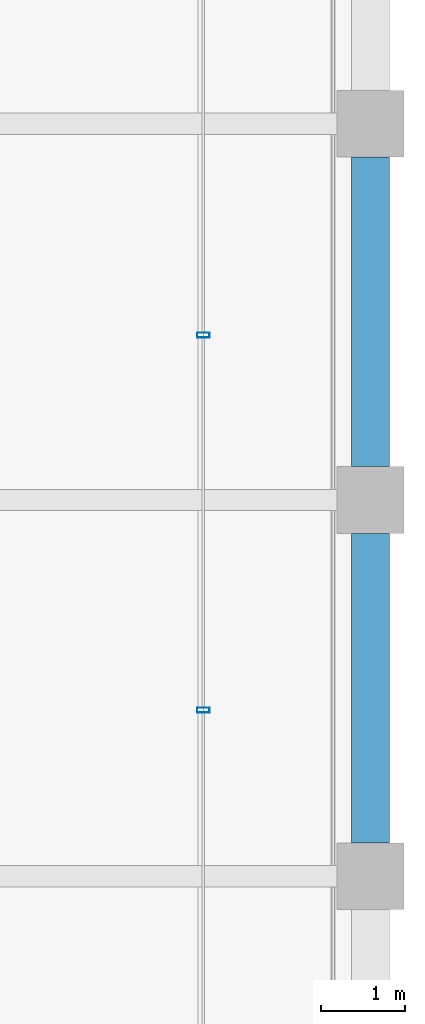
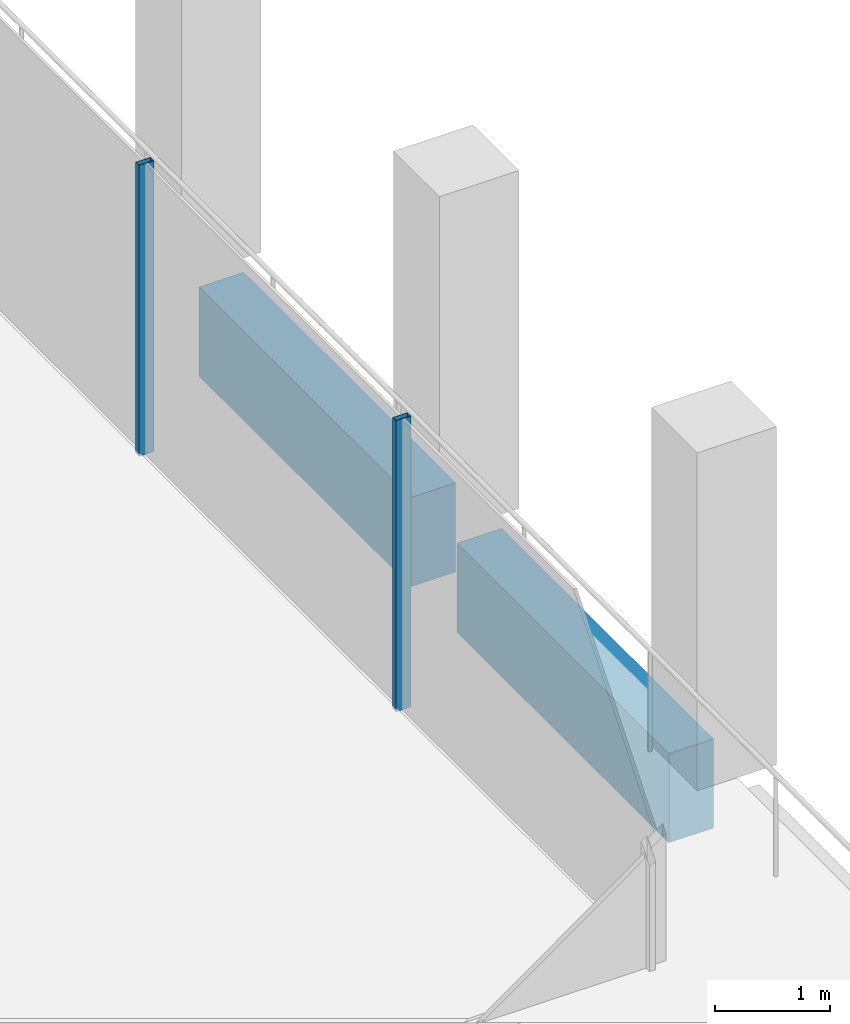
# One storey, part 15 of 30: 2 beams, 2 members, 1 element without a shape of its own.
"""IFC4 building model written with IfcOpenShell, lengths in metres."""

from ifc_helpers import new_model, si_unit, direction, frame, origin, origin_2d, place, context, subcontext, project, spatial, rectangle, hollow_rectangle, extrude, material, material_profile, profile_set, type_object, element, aggregate, save


model = new_model("IFC4")

# Units and contexts
model_context = context("Model", 3, precision=1e-05, world=origin(), true_north=direction((0.0, 1.0)))
body_context = subcontext(model_context, "Body", "Model", "MODEL_VIEW")
ifc_project = project(units=[si_unit("LENGTHUNIT", "METRE"), si_unit("AREAUNIT", "SQUARE_METRE"), si_unit("VOLUMEUNIT", "CUBIC_METRE"), si_unit("PLANEANGLEUNIT", "RADIAN"), si_unit("MASSUNIT", "GRAM", prefix="KILO")], contexts=[model_context])

# Site, building, storey
site_placement = place(None, origin())
site = spatial("IfcSite", under=ifc_project, at=site_placement, CompositionType="ELEMENT")
building_placement = place(site_placement, origin())
building = spatial("IfcBuilding", under=site, at=building_placement, Name="Altepetl Exchange Towers", CompositionType="ELEMENT")
storey_placement = place(building_placement, frame((0.0, 0.0, 224.39990234375)))
storey = spatial("IfcBuildingStorey", under=building, at=storey_placement, Name="L57", CompositionType="ELEMENT", Elevation=224.39990234375)

# Curtain wall, members
ifc_material_1 = material(Name="Aluminium 6063-T6 glazing", Category="aluminium")
curtain_wall_type = type_object("IfcCurtainWallType", Name="Loggia glazing system", PredefinedType="NOTDEFINED", material=ifc_material_1)
curtain_wall_placement = place(storey_placement, origin())
curtain_wall = element("IfcCurtainWall", 1, at=curtain_wall_placement, inside=storey, type_object=curtain_wall_type, Name="CW1 run", PredefinedType="NOTDEFINED")
ifc_material_2 = material(Name="Aluminium 6063-T6", Category="aluminium")
ifc_material_profile_1 = material_profile(ifc_material_2, hollow_rectangle(XDim=0.06005859375, YDim=0.14990234375, WallThickness=0.0029296875, at=origin_2d()), Name="Mullion 60x150 aluminium")
ifc_profile_set_1 = profile_set([ifc_material_profile_1], Name="Aluminium 6063-T6")
member_type = type_object("IfcMemberType", Name="Mullion 60x150 aluminium", PredefinedType="MULLION", material=ifc_profile_set_1)
member_1_placement = place(storey_placement, frame((70.0, 37.986083984375, 0.0), z_axis=(0.0, 0.0, 1.0), x_axis=(0.0, 1.0, 0.0)))
member_1 = element("IfcMember", 2, at=member_1_placement, type_object=member_type, Name="MU1 mullion", PredefinedType="MULLION", context=body_context, shape_type="SweptSolid", body=[
    extrude(hollow_rectangle(XDim=0.06005859375, YDim=0.14990234375, WallThickness=0.0029296875, at=origin_2d()), origin(), (0.0, 0.0, 1.0), 3.10009765625),
])
member_2_placement = place(storey_placement, frame((70.0, 42.471923828125, 0.0), z_axis=(0.0, 0.0, 1.0), x_axis=(0.0, 1.0, 0.0)))
member_2 = element("IfcMember", 3, at=member_2_placement, type_object=member_type, Name="MU1 mullion", PredefinedType="MULLION", context=body_context, shape_type="SweptSolid", body=[
    extrude(hollow_rectangle(XDim=0.06005859375, YDim=0.14990234375, WallThickness=0.0029296875, at=origin_2d()), origin(), (0.0, 0.0, 1.0), 3.10009765625),
])
aggregate(curtain_wall, [member_1, member_2])

# Beams
ifc_material_3 = material(Name="Concrete C50/60 precast with cantera amarilla facing", Category="concrete")
ifc_material_profile_2 = material_profile(ifc_material_3, rectangle(XDim=0.449951171875, YDim=0.949951171875, at=origin_2d()), Name="450 x 950")
ifc_profile_set_2 = profile_set([ifc_material_profile_2], Name="Concrete C50/60 precast with cantera amarilla facing")
beam_type = type_object("IfcBeamType", Name="Spandrel beam 450x950 cantera amarilla", PredefinedType="SPANDREL", material=ifc_profile_set_2)
for number, where, z_axis, x_axis, name in (
    (4, (72.0, 36.39990234375, -0.625), (0.0, 1.0, 0.0), (-1.0, 0.0, 0.0), "sp:A:L57:013"),
    (5, (72.0, 40.89990234375, -0.625), (0.0, 1.0, 0.0), (-1.0, 0.0, 0.0), "sp:A:L57:014"),
):
    element("IfcBeam", number, at=place(storey_placement, frame(where, z_axis=z_axis, x_axis=x_axis)), inside=storey, type_object=beam_type, Name=name, PredefinedType="SPANDREL", context=body_context, shape_type="SweptSolid", body=[
        extrude(rectangle(XDim=0.449951171875, YDim=0.949951171875, at=origin_2d()), origin(), (0.0, 0.0, 1.0), 3.7001953125),
    ])

save(model, "model.ifc")
